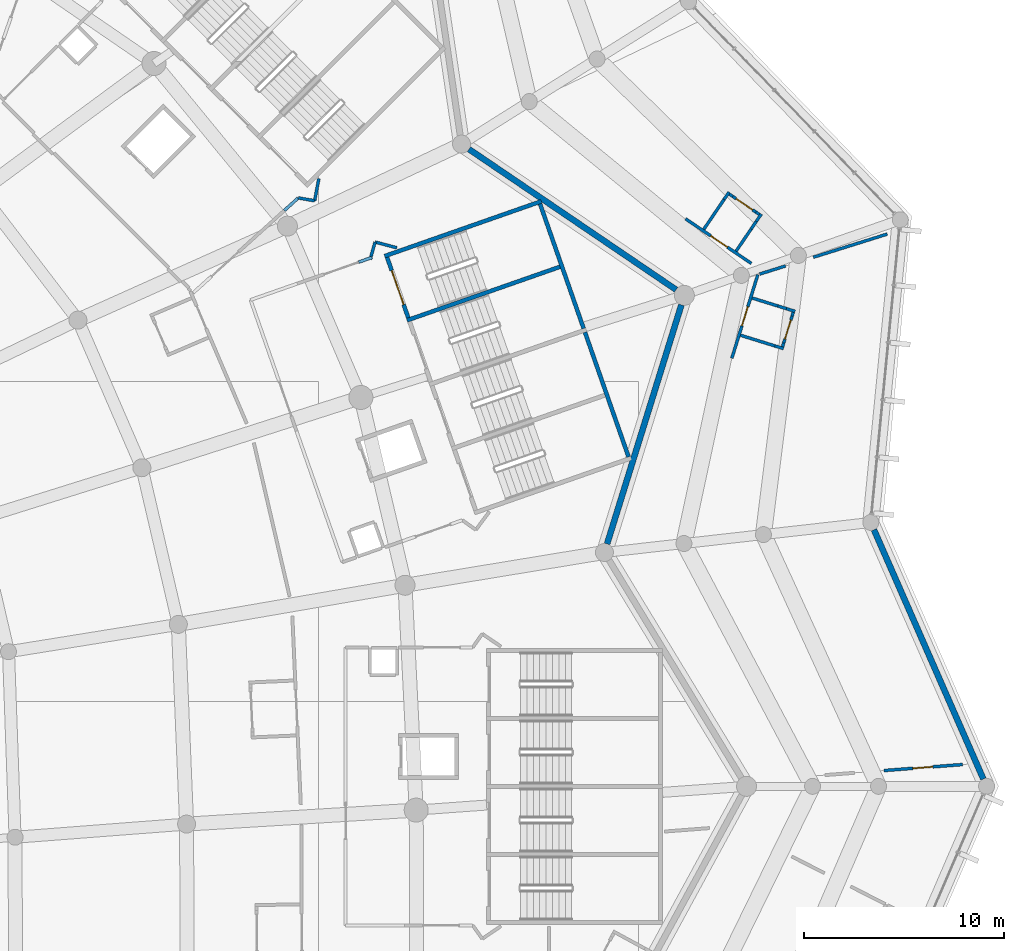
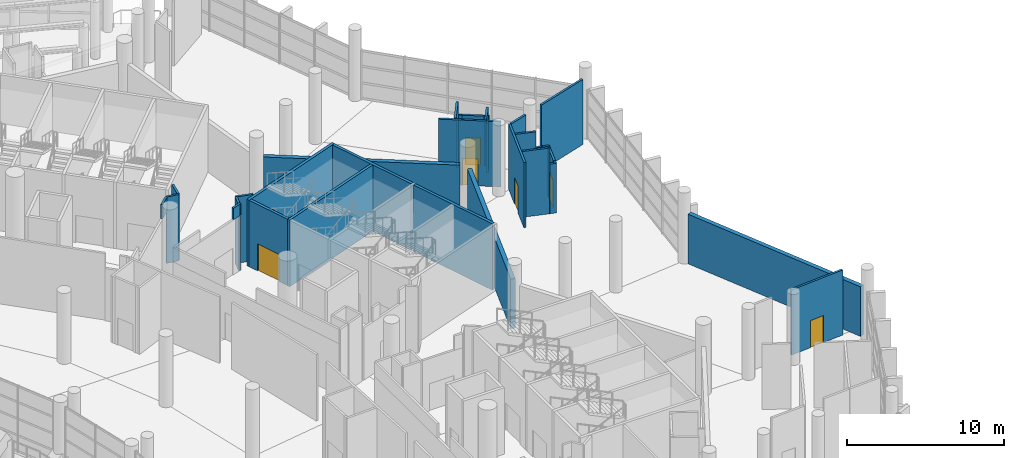
# One storey, part 195 of 271: 35 walls, 6 doors, 6 openings.
"""IFC4 building model written with IfcOpenShell, lengths in metres."""

from ifc_helpers import new_model, si_unit, direction, frame, frame_2d, origin, place, context, subcontext, project, spatial, rectangle, extrude, material, layer, layer_set, type_object, element, fill, save


model = new_model("IFC4")

# Units and contexts
model_context = context("Model", 3, precision=1e-05, world=origin(), true_north=direction((0.0, 1.0)))
body_context = subcontext(model_context, "Body", "Model", "MODEL_VIEW")
ifc_project = project(units=[si_unit("LENGTHUNIT", "METRE"), si_unit("AREAUNIT", "SQUARE_METRE"), si_unit("VOLUMEUNIT", "CUBIC_METRE"), si_unit("PLANEANGLEUNIT", "RADIAN"), si_unit("MASSUNIT", "GRAM", prefix="KILO")], contexts=[model_context])

# Site, building, storey
site_placement = place(None, origin())
site = spatial("IfcSite", under=ifc_project, at=site_placement, CompositionType="ELEMENT")
building_placement = place(site_placement, origin())
building = spatial("IfcBuilding", under=site, at=building_placement, Name="Meseta Stadium", CompositionType="ELEMENT")
storey_placement = place(building_placement, frame((0.0, 0.0, 6.5)))
storey = spatial("IfcBuildingStorey", under=building, at=storey_placement, Name="L01", CompositionType="ELEMENT", Elevation=6.5)

# Walls
ifc_material_1 = material(Name="Concrete C40/50", Category="concrete")
ifc_layer_1 = layer(ifc_material_1, 0.199951171875)
ifc_layer_set_1 = layer_set([ifc_layer_1], Name="Core divider wall 200")
wall_type_1 = type_object("IfcWallType", Name="Core divider wall 200", PredefinedType="SHEAR", material=ifc_layer_set_1)
wall_1_placement = place(storey_placement, frame((92.260009765625, 69.789306640625, 0.0), z_axis=(0.0, 0.0, 1.0), x_axis=(-0.943878073457, -0.330294084791, 0.0)))
element("IfcWall", 1, at=wall_1_placement, inside=storey, type_object=wall_type_1, Name="Core 06 L01 stair B divider wall", PredefinedType="SHEAR", context=body_context, shape_type="SweptSolid", body=[
    extrude(rectangle(XDim=8.300048828125, YDim=0.199951171875, at=frame_2d((4.14990234375, 0.0))), origin(), (0.0, 0.0, 1.0), 5.14990234375),
])
ifc_material_2 = material(Name="Concrete C40/50", Category="concrete")
ifc_layer_2 = layer(ifc_material_2, 0.199951171875)
ifc_layer_set_2 = layer_set([ifc_layer_2], Name="Core shaft wall 200")
wall_type_2 = type_object("IfcWallType", Name="Core shaft wall 200", PredefinedType="SHEAR", material=ifc_layer_set_2)
wall_2_placement = place(storey_placement, frame((91.136962890625, 72.998291015625, 0.0), z_axis=(0.0, 0.0, 1.0), x_axis=(-0.943887243331, -0.330267878966, 0.0)))
element("IfcWall", 2, at=wall_2_placement, inside=storey, type_object=wall_type_2, Name="Core 06 L01 stair wall B-side", PredefinedType="SHEAR", context=body_context, shape_type="SweptSolid", body=[
    extrude(rectangle(XDim=8.300048828125, YDim=0.199951171875, at=frame_2d((4.14990234375, 0.0))), origin(), (0.0, 0.0, 1.0), 5.14990234375),
])
for number, where, z_axis, x_axis, name in (
    (3, (95.50146484375, 60.222900390625, 0.0), (0.0, 0.0, 1.0), (-0.330286164688, 0.943880844925, 0.0), "Core 06 L01 stair A outer end wall"),
    (4, (93.255615234375, 66.641357421875, 0.0), (0.0, 0.0, 1.0), (-0.330286164688, 0.943880844925, 0.0), "Core 06 L01 stair B outer end wall"),
):
    element("IfcWall", number, at=place(storey_placement, frame(where, z_axis=z_axis, x_axis=x_axis)), inside=storey, type_object=wall_type_2, Name=name, PredefinedType="SHEAR", context=body_context, shape_type="SweptSolid", body=[
        extrude(rectangle(XDim=6.60009765625, YDim=0.199951171875, at=frame_2d((3.300048828125, 0.0))), origin(), (0.0, 0.0, 1.0), 5.14990234375),
    ])

# Wall, opening, door
wall_3_placement = place(storey_placement, frame((84.487060546875, 67.17529296875, 0.0), z_axis=(0.0, 0.0, 1.0), x_axis=(-0.330268863922, 0.943886898693, 0.0)))
wall_3 = element("IfcWall", 5, at=wall_3_placement, inside=storey, type_object=wall_type_2, Name="Core 06 L01 stair B2 inner end wall", PredefinedType="SHEAR", context=body_context, shape_type="SweptSolid", body=[
    extrude(rectangle(XDim=3.2001953125, YDim=0.199951171875, at=frame_2d((1.60009765625, 0.0))), origin(), (0.0, 0.0, 1.0), 5.14990234375),
])
opening_1_placement = place(wall_3_placement, frame((0.699951171875, 0.0, 0.0)))
opening_1 = element("IfcOpeningElement", 6, at=opening_1_placement, cuts=wall_3, Name="Opening D102", PredefinedType="OPENING", context=body_context, shape_type="SweptSolid", body=[
    extrude(rectangle(XDim=1.800048828125, YDim=2.10009765625, at=frame_2d((0.89990234375, 1.050048828125))), frame((0.0, 0.10986328125, 0.0), z_axis=(0.0, -1.0, 0.0), x_axis=(1.0, 0.0, 0.0)), (0.0, 0.0, 1.0), 0.219970703125),
])
ifc_material_3 = material(Name="Steel", Category="steel")
door_type_1 = type_object("IfcDoorType", Name="Stair door 1800x2100", OperationType="DOUBLE_DOOR_SINGLE_SWING", PredefinedType="DOOR", material=ifc_material_3)
door_1_placement = place(opening_1_placement, origin())
door_1 = element("IfcDoor", 7, at=door_1_placement, inside=storey, type_object=door_type_1, Name="Stair B2 door 06 L01", OperationType="DOUBLE_DOOR_SINGLE_SWING", OverallHeight=2.10009765625, OverallWidth=1.800048828125, PredefinedType="DOOR", context=body_context, shape_type="SweptSolid", body=[
    extrude(rectangle(XDim=1.800048828125, YDim=2.10009765625, at=frame_2d((0.89990234375, 1.050048828125))), frame((0.0, 0.02490234375, 0.0), z_axis=(0.0, -1.0, 0.0), x_axis=(1.0, 0.0, 0.0)), (0.0, 0.0, 1.0), 0.050048828125),
])
fill(opening_1, door_1)

ifc_material_4 = material(Name="Masonry blockwork", Category="masonry")
ifc_layer_3 = layer(ifc_material_4, 0.14990234375)
ifc_layer_set_3 = layer_set([ifc_layer_3], Name="Partition 150")
wall_type_3 = type_object("IfcWallType", Name="Partition 150", PredefinedType="PARTITIONING", material=ifc_layer_set_3)
wall_4_placement = place(storey_placement, frame((108.269775390625, 44.538330078125, 0.0), z_axis=(0.0, 0.0, 1.0), x_axis=(0.997068658219, 0.07651203041, 0.0)))
wall_4 = element("IfcWall", 8, at=wall_4_placement, inside=storey, type_object=wall_type_3, Name="Partition L01 L01-ring03-0b3", PredefinedType="PARTITIONING", context=body_context, shape_type="SweptSolid", body=[
    extrude(rectangle(XDim=3.947021484375, YDim=0.14990234375, at=frame_2d((1.9736328125, 0.0))), origin(), (0.0, 0.0, 1.0), 5.050048828125),
])
opening_2_placement = place(wall_4_placement, frame((1.449951171875, 0.0, 0.0)))
opening_2 = element("IfcOpeningElement", 9, at=opening_2_placement, cuts=wall_4, Name="Opening D687", PredefinedType="OPENING", context=body_context, shape_type="SweptSolid", body=[
    extrude(rectangle(XDim=1.0, YDim=2.10009765625, at=frame_2d((0.5, 1.050048828125))), frame((0.0, 0.0849609375, 0.0), z_axis=(0.0, -1.0, 0.0), x_axis=(1.0, 0.0, 0.0)), (0.0, 0.0, 1.0), 0.169921875),
])
ifc_material_5 = material(Name="Timber", Category="wood")
door_type_2 = type_object("IfcDoorType", Name="Room door 1000x2100", OperationType="NOTDEFINED", PredefinedType="DOOR", material=ifc_material_5)
door_2_placement = place(opening_2_placement, origin())
door_2 = element("IfcDoor", 10, at=door_2_placement, inside=storey, type_object=door_type_2, Name="Door D687", OperationType="SINGLE_SWING_LEFT", OverallHeight=2.10009765625, OverallWidth=1.0, PredefinedType="DOOR", context=body_context, shape_type="SweptSolid", body=[
    extrude(rectangle(XDim=1.0, YDim=2.10009765625, at=frame_2d((0.5, 1.050048828125))), frame((0.0, 0.02490234375, 0.0), z_axis=(0.0, -1.0, 0.0), x_axis=(1.0, 0.0, 0.0)), (0.0, 0.0, 1.0), 0.050048828125),
])
fill(opening_2, door_2)

wall_5_placement = place(storey_placement, frame((100.6650390625, 65.154296875, 0.0), z_axis=(0.0, 0.0, 1.0), x_axis=(0.296860778356, 0.954920770679, 0.0)))
wall_5 = element("IfcWall", 11, at=wall_5_placement, inside=storey, type_object=wall_type_3, Name="Partition L01 L01-ring04-0", PredefinedType="PARTITIONING", context=body_context, shape_type="SweptSolid", body=[
    extrude(rectangle(XDim=4.375244140625, YDim=0.14990234375, at=frame_2d((2.1875, 0.0))), origin(), (0.0, 0.0, 1.0), 5.050048828125),
])
opening_3_placement = place(wall_5_placement, frame((1.699951171875, 0.0, 0.0)))
opening_3 = element("IfcOpeningElement", 12, at=opening_3_placement, cuts=wall_5, Name="Opening D689", PredefinedType="OPENING", context=body_context, shape_type="SweptSolid", body=[
    extrude(rectangle(XDim=1.0, YDim=2.10009765625, at=frame_2d((0.5, 1.050048828125))), frame((0.0, 0.0849609375, 0.0), z_axis=(0.0, -1.0, 0.0), x_axis=(1.0, 0.0, 0.0)), (0.0, 0.0, 1.0), 0.169921875),
])
ifc_material_6 = material(Name="Steel", Category="steel")
door_type_3 = type_object("IfcDoorType", Name="Fire door 1000x2100 EI2 60", OperationType="NOTDEFINED", PredefinedType="DOOR", material=ifc_material_6)
door_3_placement = place(opening_3_placement, origin())
door_3 = element("IfcDoor", 13, at=door_3_placement, inside=storey, type_object=door_type_3, Name="Door D689", OperationType="SINGLE_SWING_RIGHT", OverallHeight=2.10009765625, OverallWidth=1.0, PredefinedType="DOOR", context=body_context, shape_type="SweptSolid", body=[
    extrude(rectangle(XDim=1.0, YDim=2.10009765625, at=frame_2d((0.5, 1.050048828125))), frame((0.0, 0.02490234375, 0.0), z_axis=(0.0, -1.0, 0.0), x_axis=(1.0, 0.0, 0.0)), (0.0, 0.0, 1.0), 0.050048828125),
])
fill(opening_3, door_3)

# Walls
wall_6_placement = place(storey_placement, frame((102.05078125, 69.359619140625, 0.0), z_axis=(0.0, 0.0, 1.0), x_axis=(0.954243765566, 0.299029824395, 0.0)))
element("IfcWall", 14, at=wall_6_placement, inside=storey, type_object=wall_type_3, Name="Partition L01 L01-ring04-0", PredefinedType="PARTITIONING", context=body_context, shape_type="SweptSolid", body=[
    extrude(rectangle(XDim=1.362548828125, YDim=0.14990234375, at=frame_2d((0.68115234375, 0.0))), origin(), (0.0, 0.0, 1.0), 5.050048828125),
])
wall_7_placement = place(storey_placement, frame((104.73828125, 70.2021484375, 0.0), z_axis=(0.0, 0.0, 1.0), x_axis=(0.954198313531, 0.299174829247, 0.0)))
element("IfcWall", 15, at=wall_7_placement, inside=storey, type_object=wall_type_3, Name="Partition L01 L01-ring04-0", PredefinedType="PARTITIONING", context=body_context, shape_type="SweptSolid", body=[
    extrude(rectangle(XDim=3.876953125, YDim=0.14990234375, at=frame_2d((1.9384765625, 0.0))), origin(), (0.0, 0.0, 1.0), 5.050048828125),
])

# Wall, opening, door
wall_8_placement = place(storey_placement, frame((101.639404296875, 69.892578125, 0.0), z_axis=(0.0, 0.0, 1.0), x_axis=(-0.82747475675, 0.561502918017, 0.0)))
wall_8 = element("IfcWall", 16, at=wall_8_placement, inside=storey, type_object=wall_type_3, Name="Partition L01 L01-ring05-0", PredefinedType="PARTITIONING", context=body_context, shape_type="SweptSolid", body=[
    extrude(rectangle(XDim=3.98095703125, YDim=0.14990234375, at=frame_2d((1.990478515625, 0.0))), origin(), (0.0, 0.0, 1.0), 5.050048828125),
])
opening_4_placement = place(wall_8_placement, frame((1.449951171875, 0.0, 0.0)))
opening_4 = element("IfcOpeningElement", 17, at=opening_4_placement, cuts=wall_8, Name="Opening D690", PredefinedType="OPENING", context=body_context, shape_type="SweptSolid", body=[
    extrude(rectangle(XDim=1.0, YDim=2.10009765625, at=frame_2d((0.5, 1.050048828125))), frame((0.0, 0.0849609375, 0.0), z_axis=(0.0, -1.0, 0.0), x_axis=(1.0, 0.0, 0.0)), (0.0, 0.0, 1.0), 0.169921875),
])
door_4_placement = place(opening_4_placement, origin())
door_4 = element("IfcDoor", 18, at=door_4_placement, inside=storey, type_object=door_type_3, Name="Door D690", OperationType="SINGLE_SWING_RIGHT", OverallHeight=2.10009765625, OverallWidth=1.0, PredefinedType="DOOR", context=body_context, shape_type="SweptSolid", body=[
    extrude(rectangle(XDim=1.0, YDim=2.10009765625, at=frame_2d((0.5, 1.050048828125))), frame((0.0, 0.02490234375, 0.0), z_axis=(0.0, -1.0, 0.0), x_axis=(1.0, 0.0, 0.0)), (0.0, 0.0, 1.0), 0.050048828125),
])
fill(opening_4, door_4)

# Walls
wall_9_placement = place(storey_placement, frame((82.677490234375, 70.19189453125, 4.25), z_axis=(0.0, 0.0, 1.0), x_axis=(-0.943907271516, -0.330210633958, 0.0)))
element("IfcWall", 19, at=wall_9_placement, inside=storey, type_object=wall_type_3, Name="Stair vestibule wall L01 core 06", PredefinedType="PARTITIONING", context=body_context, shape_type="SweptSolid", body=[
    extrude(rectangle(XDim=0.7001953125, YDim=0.14990234375, at=frame_2d((0.35009765625, 0.0))), origin(), (0.0, 0.0, 1.0), 0.89990234375),
])
wall_10_placement = place(storey_placement, frame((83.91943359375, 70.673583984375, 0.0), z_axis=(0.0, 0.0, 1.0), x_axis=(-0.966256491935, 0.257581815726, 0.0)))
element("IfcWall", 20, at=wall_10_placement, inside=storey, type_object=wall_type_3, Name="Stair vestibule wall L01 core 06", PredefinedType="PARTITIONING", context=body_context, shape_type="SweptSolid", body=[
    extrude(rectangle(XDim=1.1279296875, YDim=0.14990234375, at=frame_2d((0.56396484375, 0.0))), origin(), (0.0, 0.0, 1.0), 5.14990234375),
])
wall_11_placement = place(storey_placement, frame((82.82958984375, 70.964111328125, 0.0), z_axis=(0.0, 0.0, 1.0), x_axis=(-0.273195175007, -0.961958625073, 0.0)))
element("IfcWall", 21, at=wall_11_placement, inside=storey, type_object=wall_type_3, Name="Stair vestibule wall L01 core 06", PredefinedType="PARTITIONING", context=body_context, shape_type="SweptSolid", body=[
    extrude(rectangle(XDim=0.908935546875, YDim=0.14990234375, at=frame_2d((0.45458984375, 0.0))), origin(), (0.0, 0.0, 1.0), 5.14990234375),
])
wall_12_placement = place(storey_placement, frame((78.287841796875, 72.5361328125, 4.050048828125), z_axis=(0.0, 0.0, 1.0), x_axis=(0.741940562606, 0.670465660239, 0.0)))
element("IfcWall", 22, at=wall_12_placement, inside=storey, type_object=wall_type_3, Name="Stair vestibule wall L01 core 07", PredefinedType="PARTITIONING", context=body_context, shape_type="SweptSolid", body=[
    extrude(rectangle(XDim=0.942626953125, YDim=0.14990234375, at=frame_2d((0.47119140625, 0.0))), origin(), (0.0, 0.0, 1.0), 1.099853515625),
])
wall_13_placement = place(storey_placement, frame((78.9873046875, 73.168212890625, 0.0), z_axis=(0.0, 0.0, 1.0), x_axis=(0.985252654039, -0.171105837743, 0.0)))
element("IfcWall", 23, at=wall_13_placement, inside=storey, type_object=wall_type_3, Name="Stair vestibule wall L01 core 07", PredefinedType="PARTITIONING", context=body_context, shape_type="SweptSolid", body=[
    extrude(rectangle(XDim=0.831787109375, YDim=0.14990234375, at=frame_2d((0.416015625, 0.0))), origin(), (0.0, 0.0, 1.0), 5.14990234375),
])
wall_14_placement = place(storey_placement, frame((79.806884765625, 73.02587890625, 0.0), z_axis=(0.0, 0.0, 1.0), x_axis=(0.187490142289, 0.982266484486, 0.0)))
element("IfcWall", 24, at=wall_14_placement, inside=storey, type_object=wall_type_3, Name="Stair vestibule wall L01 core 07", PredefinedType="PARTITIONING", context=body_context, shape_type="SweptSolid", body=[
    extrude(rectangle(XDim=1.127685546875, YDim=0.14990234375, at=frame_2d((0.56396484375, 0.0))), origin(), (0.0, 0.0, 1.0), 5.14990234375),
])
wall_15_placement = place(storey_placement, frame((101.100341796875, 66.3017578125, 0.0), z_axis=(0.0, 0.0, 1.0), x_axis=(0.954903789402, -0.296915397017, 0.0)))
element("IfcWall", 25, at=wall_15_placement, inside=storey, type_object=wall_type_3, Name="Partition L01 L01-ring04-0 vestibule", PredefinedType="PARTITIONING", context=body_context, shape_type="SweptSolid", body=[
    extrude(rectangle(XDim=1.7998046875, YDim=0.14990234375, at=frame_2d((0.89990234375, 0.0))), origin(), (0.0, 0.0, 1.0), 5.10009765625),
])
wall_16_placement = place(storey_placement, frame((102.819091796875, 65.767333984375, 0.0), z_axis=(0.0, 0.0, 1.0), x_axis=(0.954942240285, -0.296791707634, 0.0)))
element("IfcWall", 26, at=wall_16_placement, inside=storey, type_object=wall_type_3, Name="Partition L01 L01-ring04-0 vestibule", PredefinedType="PARTITIONING", context=body_context, shape_type="SweptSolid", body=[
    extrude(rectangle(XDim=0.449951171875, YDim=0.14990234375, at=frame_2d((0.22509765625, 0.0))), origin(), (0.0, 0.0, 1.0), 3.85009765625),
])
wall_17_placement = place(storey_placement, frame((101.67919921875, 68.163818359375, 0.0), z_axis=(0.0, 0.0, 1.0), x_axis=(0.954942240285, -0.296791707634, 0.0)))
element("IfcWall", 27, at=wall_17_placement, inside=storey, type_object=wall_type_3, Name="Partition L01 L01-ring04-0 vestibule", PredefinedType="PARTITIONING", context=body_context, shape_type="SweptSolid", body=[
    extrude(rectangle(XDim=1.349853515625, YDim=0.14990234375, at=frame_2d((0.6748046875, 0.0))), origin(), (0.0, 0.0, 1.0), 5.10009765625),
])
wall_18_placement = place(storey_placement, frame((102.96826171875, 67.76318359375, 0.0), z_axis=(0.0, 0.0, 1.0), x_axis=(0.954836267143, -0.297132467004, 0.0)))
element("IfcWall", 28, at=wall_18_placement, inside=storey, type_object=wall_type_3, Name="Partition L01 L01-ring04-0 vestibule", PredefinedType="PARTITIONING", context=body_context, shape_type="SweptSolid", body=[
    extrude(rectangle(XDim=0.4501953125, YDim=0.14990234375, at=frame_2d((0.22509765625, 0.0))), origin(), (0.0, 0.0, 1.0), 3.85009765625),
])
wall_19_placement = place(storey_placement, frame((103.398193359375, 67.62939453125, 0.0), z_axis=(0.0, 0.0, 1.0), x_axis=(0.954942240285, -0.296791707634, 0.0)))
element("IfcWall", 29, at=wall_19_placement, inside=storey, type_object=wall_type_3, Name="Partition L01 L01-ring04-0 vestibule", PredefinedType="PARTITIONING", context=body_context, shape_type="SweptSolid", body=[
    extrude(rectangle(XDim=0.449951171875, YDim=0.14990234375, at=frame_2d((0.22509765625, 0.0))), origin(), (0.0, 0.0, 1.0), 3.85009765625),
])
wall_20_placement = place(storey_placement, frame((103.199462890625, 65.727783203125, 0.0), z_axis=(0.0, 0.0, 1.0), x_axis=(0.296744885248, 0.95495679121, 0.0)))
element("IfcWall", 30, at=wall_20_placement, inside=storey, type_object=wall_type_3, Name="Partition L01 L01-ring04-0 vestibule", PredefinedType="PARTITIONING", context=body_context, shape_type="SweptSolid", body=[
    extrude(rectangle(XDim=0.199951171875, YDim=0.14990234375, at=frame_2d((0.10009765625, 0.0))), origin(), (0.0, 0.0, 1.0), 3.85009765625),
])

# Wall, opening, door
wall_21_placement = place(storey_placement, frame((103.2587890625, 65.918701171875, 0.0), z_axis=(0.0, 0.0, 1.0), x_axis=(0.296964091659, 0.95488864705, 0.0)))
wall_21 = element("IfcWall", 31, at=wall_21_placement, inside=storey, type_object=wall_type_3, Name="Partition L01 L01-ring04-0 vestibule", PredefinedType="PARTITIONING", context=body_context, shape_type="SweptSolid", body=[
    extrude(rectangle(XDim=1.400146484375, YDim=0.14990234375, at=frame_2d((0.7001953125, 0.0))), origin(), (0.0, 0.0, 1.0), 3.85009765625),
])
opening_5_placement = place(wall_21_placement, frame((0.199951171875, 0.0, 0.0)))
opening_5 = element("IfcOpeningElement", 32, at=opening_5_placement, cuts=wall_21, Name="Opening D921", PredefinedType="OPENING", context=body_context, shape_type="SweptSolid", body=[
    extrude(rectangle(XDim=1.0, YDim=2.10009765625, at=frame_2d((0.5, 1.050048828125))), frame((0.0, 0.0849609375, 0.0), z_axis=(0.0, -1.0, 0.0), x_axis=(1.0, 0.0, 0.0)), (0.0, 0.0, 1.0), 0.169921875),
])
door_5_placement = place(opening_5_placement, origin())
door_5 = element("IfcDoor", 33, at=door_5_placement, inside=storey, type_object=door_type_3, Name="Vestibule door L01 L01-ring04-0", OperationType="SINGLE_SWING_LEFT", OverallHeight=2.10009765625, OverallWidth=1.0, PredefinedType="DOOR", context=body_context, shape_type="SweptSolid", body=[
    extrude(rectangle(XDim=1.0, YDim=2.10009765625, at=frame_2d((0.5, 1.050048828125))), frame((0.0, 0.02490234375, 0.0), z_axis=(0.0, -1.0, 0.0), x_axis=(1.0, 0.0, 0.0)), (0.0, 0.0, 1.0), 0.050048828125),
])
fill(opening_5, door_5)

# Walls
wall_22_placement = place(storey_placement, frame((103.674560546875, 67.255615234375, 0.0), z_axis=(0.0, 0.0, 1.0), x_axis=(0.296744885248, 0.95495679121, 0.0)))
element("IfcWall", 34, at=wall_22_placement, inside=storey, type_object=wall_type_3, Name="Partition L01 L01-ring04-0 vestibule", PredefinedType="PARTITIONING", context=body_context, shape_type="SweptSolid", body=[
    extrude(rectangle(XDim=0.199951171875, YDim=0.14990234375, at=frame_2d((0.10009765625, 0.0))), origin(), (0.0, 0.0, 1.0), 3.85009765625),
])
wall_23_placement = place(storey_placement, frame((100.874755859375, 70.502197265625, 0.0), z_axis=(0.0, 0.0, 1.0), x_axis=(0.561567757892, 0.827430754382, 0.0)))
element("IfcWall", 35, at=wall_23_placement, inside=storey, type_object=wall_type_3, Name="Partition L01 L01-ring05-0 vestibule", PredefinedType="PARTITIONING", context=body_context, shape_type="SweptSolid", body=[
    extrude(rectangle(XDim=1.349853515625, YDim=0.14990234375, at=frame_2d((0.6748046875, 0.0))), origin(), (0.0, 0.0, 1.0), 5.10009765625),
])
wall_24_placement = place(storey_placement, frame((101.6328125, 71.619140625, 0.0), z_axis=(0.0, 0.0, 1.0), x_axis=(0.561315731762, 0.827601745574, 0.0)))
element("IfcWall", 36, at=wall_24_placement, inside=storey, type_object=wall_type_3, Name="Partition L01 L01-ring05-0 vestibule", PredefinedType="PARTITIONING", context=body_context, shape_type="SweptSolid", body=[
    extrude(rectangle(XDim=0.4501953125, YDim=0.14990234375, at=frame_2d((0.22509765625, 0.0))), origin(), (0.0, 0.0, 1.0), 3.85009765625),
])
wall_25_placement = place(storey_placement, frame((101.885498046875, 71.99169921875, 0.0), z_axis=(0.0, 0.0, 1.0), x_axis=(0.561567757892, 0.827430754382, 0.0)))
element("IfcWall", 37, at=wall_25_placement, inside=storey, type_object=wall_type_3, Name="Partition L01 L01-ring05-0 vestibule", PredefinedType="PARTITIONING", context=body_context, shape_type="SweptSolid", body=[
    extrude(rectangle(XDim=0.449951171875, YDim=0.14990234375, at=frame_2d((0.22509765625, 0.0))), origin(), (0.0, 0.0, 1.0), 3.85009765625),
])
wall_26_placement = place(storey_placement, frame((99.26123046875, 71.596923828125, 0.0), z_axis=(0.0, 0.0, 1.0), x_axis=(0.561504735028, 0.82747352377, 0.0)))
element("IfcWall", 38, at=wall_26_placement, inside=storey, type_object=wall_type_3, Name="Partition L01 L01-ring05-0 vestibule", PredefinedType="PARTITIONING", context=body_context, shape_type="SweptSolid", body=[
    extrude(rectangle(XDim=1.800048828125, YDim=0.14990234375, at=frame_2d((0.89990234375, 0.0))), origin(), (0.0, 0.0, 1.0), 5.10009765625),
])
wall_27_placement = place(storey_placement, frame((100.27197265625, 73.08642578125, 0.0), z_axis=(0.0, 0.0, 1.0), x_axis=(0.561315731762, 0.827601745574, 0.0)))
element("IfcWall", 39, at=wall_27_placement, inside=storey, type_object=wall_type_3, Name="Partition L01 L01-ring05-0 vestibule", PredefinedType="PARTITIONING", context=body_context, shape_type="SweptSolid", body=[
    extrude(rectangle(XDim=0.4501953125, YDim=0.14990234375, at=frame_2d((0.22509765625, 0.0))), origin(), (0.0, 0.0, 1.0), 3.85009765625),
])
wall_28_placement = place(storey_placement, frame((102.033935546875, 72.343994140625, 0.0), z_axis=(0.0, 0.0, 1.0), x_axis=(-0.827516278761, 0.561441723053, 0.0)))
element("IfcWall", 40, at=wall_28_placement, inside=storey, type_object=wall_type_3, Name="Partition L01 L01-ring05-0 vestibule", PredefinedType="PARTITIONING", context=body_context, shape_type="SweptSolid", body=[
    extrude(rectangle(XDim=0.199951171875, YDim=0.14990234375, at=frame_2d((0.10009765625, 0.0))), origin(), (0.0, 0.0, 1.0), 3.85009765625),
])

# Wall, opening, door
wall_29_placement = place(storey_placement, frame((101.868408203125, 72.456298828125, 0.0), z_axis=(0.0, 0.0, 1.0), x_axis=(-0.827461305414, 0.56152274045, 0.0)))
wall_29 = element("IfcWall", 41, at=wall_29_placement, inside=storey, type_object=wall_type_3, Name="Partition L01 L01-ring05-0 vestibule", PredefinedType="PARTITIONING", context=body_context, shape_type="SweptSolid", body=[
    extrude(rectangle(XDim=1.39990234375, YDim=0.14990234375, at=frame_2d((0.699951171875, 0.0))), origin(), (0.0, 0.0, 1.0), 3.85009765625),
])
opening_6_placement = place(wall_29_placement, frame((0.199951171875, 0.0, 0.0)))
opening_6 = element("IfcOpeningElement", 42, at=opening_6_placement, cuts=wall_29, Name="Opening D922", PredefinedType="OPENING", context=body_context, shape_type="SweptSolid", body=[
    extrude(rectangle(XDim=1.0, YDim=2.10009765625, at=frame_2d((0.5, 1.050048828125))), frame((0.0, 0.0849609375, 0.0), z_axis=(0.0, -1.0, 0.0), x_axis=(1.0, 0.0, 0.0)), (0.0, 0.0, 1.0), 0.169921875),
])
door_6_placement = place(opening_6_placement, origin())
door_6 = element("IfcDoor", 43, at=door_6_placement, inside=storey, type_object=door_type_3, Name="Vestibule door L01 L01-ring05-0", OperationType="SINGLE_SWING_RIGHT", OverallHeight=2.10009765625, OverallWidth=1.0, PredefinedType="DOOR", context=body_context, shape_type="SweptSolid", body=[
    extrude(rectangle(XDim=1.0, YDim=2.10009765625, at=frame_2d((0.5, 1.050048828125))), frame((0.0, 0.02490234375, 0.0), z_axis=(0.0, -1.0, 0.0), x_axis=(1.0, 0.0, 0.0)), (0.0, 0.0, 1.0), 0.050048828125),
])
fill(opening_6, door_6)

# Walls
wall_30_placement = place(storey_placement, frame((100.7099609375, 73.242431640625, 0.0), z_axis=(0.0, 0.0, 1.0), x_axis=(-0.827516278761, 0.561441723053, 0.0)))
element("IfcWall", 44, at=wall_30_placement, inside=storey, type_object=wall_type_3, Name="Partition L01 L01-ring05-0 vestibule", PredefinedType="PARTITIONING", context=body_context, shape_type="SweptSolid", body=[
    extrude(rectangle(XDim=0.199951171875, YDim=0.14990234375, at=frame_2d((0.10009765625, 0.0))), origin(), (0.0, 0.0, 1.0), 3.85009765625),
])
ifc_material_7 = material(Name="White precast concrete C40/50", Category="concrete")
ifc_layer_4 = layer(ifc_material_7, 0.300048828125)
ifc_layer_set_4 = layer_set([ifc_layer_4], Name="Pleated panel wall 300 concourse")
wall_type_4 = type_object("IfcWallType", Name="Pleated panel wall 300 concourse", PredefinedType="SOLIDWALL", material=ifc_layer_set_4)
for number, where, z_axis, x_axis, name in (
    (45, (98.142822265625, 67.820068359375, 0.0), (0.0, 0.0, 1.0), (-0.29687600697, -0.954916036354, 0.0), "Pleated facade panel L01 F09"),
    (46, (87.52294921875, 75.604248046875, 0.0), (0.0, 0.0, 1.0), (0.827480954447, -0.561493784496, 0.0), "Pleated facade panel L01 F10"),
):
    element("IfcWall", number, at=place(storey_placement, frame(where, z_axis=z_axis, x_axis=x_axis)), inside=storey, type_object=wall_type_4, Name=name, PredefinedType="SOLIDWALL", context=body_context, shape_type="SweptSolid", body=[
        extrude(rectangle(XDim=12.51318359375, YDim=0.300048828125, at=frame_2d((6.256591796875, 0.0))), origin(), (0.0, 0.0, 1.0), 3.85009765625),
    ])
ifc_material_8 = material(Name="Precast concrete C40/50", Category="concrete")
ifc_layer_5 = layer(ifc_material_8, 0.300048828125)
ifc_layer_set_5 = layer_set([ifc_layer_5], Name="Ring facade panel wall 300")
wall_type_5 = type_object("IfcWallType", Name="Ring facade panel wall 300", PredefinedType="SOLIDWALL", material=ifc_layer_set_5)
wall_31_placement = place(storey_placement, frame((107.77099609375, 56.575439453125, 0.0), z_axis=(0.0, 0.0, 1.0), x_axis=(0.401888790881, -0.915688484018, 0.0)))
element("IfcWall", 47, at=wall_31_placement, inside=storey, type_object=wall_type_5, Name="Ring plant panel wall L01 F08", PredefinedType="SOLIDWALL", context=body_context, shape_type="SweptSolid", body=[
    extrude(rectangle(XDim=13.6064453125, YDim=0.300048828125, at=frame_2d((6.80322265625, 0.0))), origin(), (0.0, 0.0, 1.0), 3.85009765625),
])

save(model, "model.ifc")
